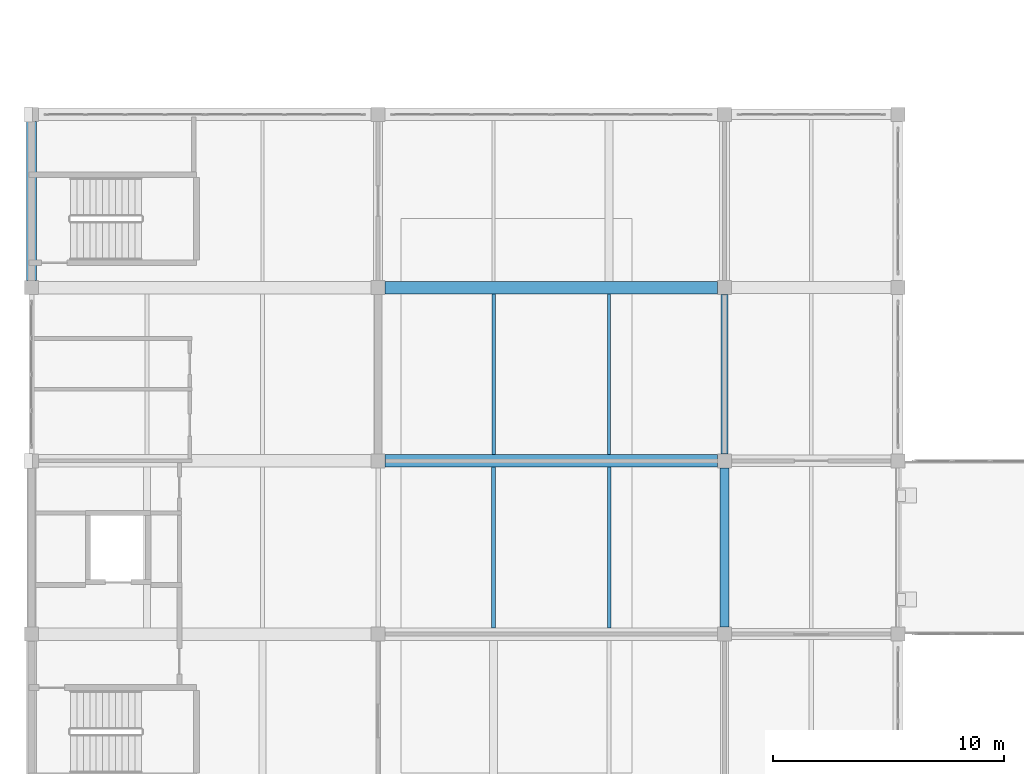
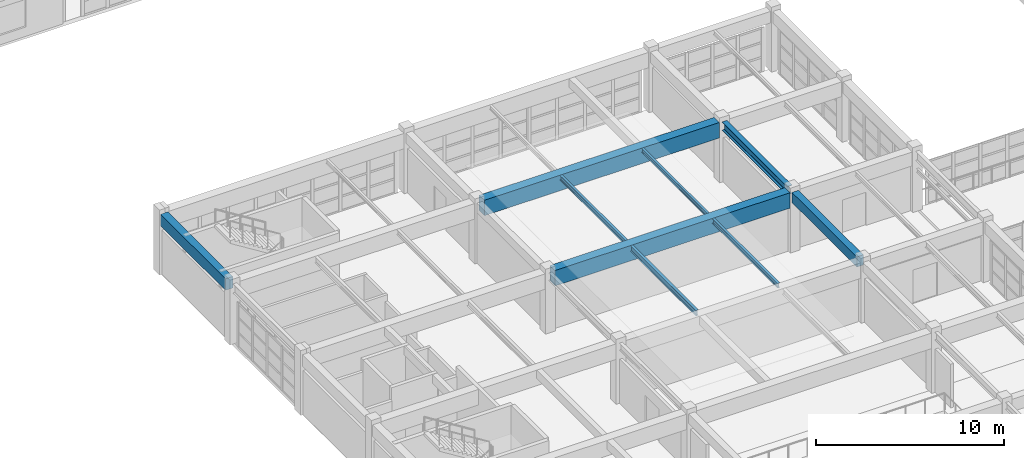
# One storey, part 18 of 124: 9 beams.
"""IFC4 building model written with IfcOpenShell, lengths in metres."""

from ifc_helpers import new_model, si_unit, direction, frame, origin, origin_2d, place, context, subcontext, project, spatial, rectangle, i_section, extrude, material, material_profile, profile_set, type_object, element, save


model = new_model("IFC4")

# Units and contexts
model_context = context("Model", 3, precision=1e-05, world=origin(), true_north=direction((0.0, 1.0)))
body_context = subcontext(model_context, "Body", "Model", "MODEL_VIEW")
ifc_project = project(units=[si_unit("LENGTHUNIT", "METRE"), si_unit("AREAUNIT", "SQUARE_METRE"), si_unit("VOLUMEUNIT", "CUBIC_METRE"), si_unit("PLANEANGLEUNIT", "RADIAN"), si_unit("MASSUNIT", "GRAM", prefix="KILO")], contexts=[model_context])

# Site, building, storey
site_placement = place(None, origin())
site = spatial("IfcSite", under=ifc_project, at=site_placement, CompositionType="ELEMENT")
building_placement = place(site_placement, origin())
building = spatial("IfcBuilding", under=site, at=building_placement, Name="Qasida Concert Hall", CompositionType="ELEMENT")
storey_placement = place(building_placement, frame((0.0, 0.0, 9.0)))
storey = spatial("IfcBuildingStorey", under=building, at=storey_placement, Name="L02", CompositionType="ELEMENT", Elevation=9.0)

# Beams
ifc_material_1 = material(Name="Concrete C40/50", Category="concrete")
ifc_material_profile_1 = material_profile(ifc_material_1, rectangle(XDim=0.39990234375, YDim=0.64990234375, at=origin_2d()), Name="RC 400x650")
ifc_profile_set_1 = profile_set([ifc_material_profile_1], Name="Concrete C40/50")
beam_type_1 = type_object("IfcBeamType", Name="BM-B1", PredefinedType="BEAM", material=ifc_profile_set_1)
beam_1_placement = place(storey_placement, frame((30.0, 30.300048828125, 3.574951171875), z_axis=(0.0, 1.0, 0.0), x_axis=(-1.0, 0.0, 0.0)))
element("IfcBeam", 1, at=beam_1_placement, inside=storey, type_object=beam_type_1, Name="L02 girder 1311", PredefinedType="BEAM", context=body_context, shape_type="SweptSolid", body=[
    extrude(rectangle(XDim=0.39990234375, YDim=0.64990234375, at=origin_2d()), origin(), (0.0, 0.0, 1.0), 6.89990234375),
])
ifc_material_2 = material(Name="Steel S355J2", Category="steel")
ifc_material_profile_2 = material_profile(ifc_material_2, i_section(OverallWidth=0.300048828125, OverallDepth=0.550048828125, WebThickness=0.014892578125, FlangeThickness=0.029052734375, FilletRadius=0.027099609375, at=origin_2d()), Name="HEB 550")
ifc_profile_set_2 = profile_set([ifc_material_profile_2], Name="Steel S355J2")
beam_type_2 = type_object("IfcBeamType", Name="BM-B12", PredefinedType="BEAM", material=ifc_profile_set_2)
beam_2_placement = place(storey_placement, frame((30.0, 37.800048828125, 3.625), z_axis=(0.0, 1.0, 0.0), x_axis=(-1.0, 0.0, 0.0)))
element("IfcBeam", 2, at=beam_2_placement, inside=storey, type_object=beam_type_2, Name="L02 girder 1312", PredefinedType="BEAM", context=body_context, shape_type="SweptSolid", body=[
    extrude(i_section(OverallWidth=0.300048828125, OverallDepth=0.550048828125, WebThickness=0.014892578125, FlangeThickness=0.029052734375, FilletRadius=0.027099609375, at=origin_2d()), origin(), (0.0, 0.0, 1.0), 6.89990234375),
])
ifc_material_profile_3 = material_profile(ifc_material_1, rectangle(XDim=0.550048828125, YDim=1.0, at=origin_2d()), Name="RC 550x1000")
ifc_profile_set_3 = profile_set([ifc_material_profile_3], Name="Concrete C40/50")
beam_type_3 = type_object("IfcBeamType", Name="BM-G3", PredefinedType="USERDEFINED", material=ifc_profile_set_3)
for number, where, z_axis, x_axis, name in (
    (3, (15.300048828125, 37.5, 3.39990234375), (1.0, 0.0, 0.0), (0.0, 1.0, 0.0), "Primary girder 1285"),
    (4, (15.300048828125, 45.0, 3.39990234375), (1.0, 0.0, 0.0), (0.0, 1.0, 0.0), "Primary girder 1288"),
):
    element("IfcBeam", number, at=place(storey_placement, frame(where, z_axis=z_axis, x_axis=x_axis)), inside=storey, type_object=beam_type_3, Name=name, ObjectType="GIRDER", PredefinedType="USERDEFINED", context=body_context, shape_type="SweptSolid", body=[
        extrude(rectangle(XDim=0.550048828125, YDim=1.0, at=origin_2d()), origin(), (0.0, 0.0, 1.0), 14.39990234375),
    ])
ifc_material_profile_4 = material_profile(ifc_material_2, i_section(OverallWidth=0.169921875, OverallDepth=0.360107421875, WebThickness=0.008056640625, FlangeThickness=0.0126953125, FilletRadius=0.01806640625, at=origin_2d()), Name="IPE 360")
ifc_profile_set_4 = profile_set([ifc_material_profile_4], Name="Steel S355J2")
beam_type_4 = type_object("IfcBeamType", Name="BM-J2", PredefinedType="JOIST", material=ifc_profile_set_4)
beam_3_placement = place(storey_placement, frame((20.0, 30.27490234375, 3.719970703125), z_axis=(0.0, 1.0, 0.0), x_axis=(-1.0, 0.0, 0.0)))
element("IfcBeam", 5, at=beam_3_placement, inside=storey, type_object=beam_type_4, Name="L02 secondary joist 1337", PredefinedType="JOIST", context=body_context, shape_type="SweptSolid", body=[
    extrude(i_section(OverallWidth=0.169921875, OverallDepth=0.360107421875, WebThickness=0.008056640625, FlangeThickness=0.0126953125, FilletRadius=0.01806640625, at=origin_2d()), origin(), (0.0, 0.0, 1.0), 6.9501953125),
])
ifc_material_profile_5 = material_profile(ifc_material_2, i_section(OverallWidth=0.14990234375, OverallDepth=0.300048828125, WebThickness=0.007080078125, FlangeThickness=0.0107421875, FilletRadius=0.014892578125, at=origin_2d()), Name="IPE 300")
ifc_profile_set_5 = profile_set([ifc_material_profile_5], Name="Steel S355J2")
beam_type_5 = type_object("IfcBeamType", Name="BM-J4", PredefinedType="JOIST", material=ifc_profile_set_5)
for number, where, z_axis, x_axis, name in (
    (6, (25.0, 30.27490234375, 3.75), (0.0, 1.0, 0.0), (-1.0, 0.0, 0.0), "L02 secondary joist 1338"),
    (7, (20.0, 37.77490234375, 3.75), (0.0, 1.0, 0.0), (-1.0, 0.0, 0.0), "L02 secondary joist 1339"),
):
    element("IfcBeam", number, at=place(storey_placement, frame(where, z_axis=z_axis, x_axis=x_axis)), inside=storey, type_object=beam_type_5, Name=name, PredefinedType="JOIST", context=body_context, shape_type="SweptSolid", body=[
        extrude(i_section(OverallWidth=0.14990234375, OverallDepth=0.300048828125, WebThickness=0.007080078125, FlangeThickness=0.0107421875, FilletRadius=0.014892578125, at=origin_2d()), origin(), (0.0, 0.0, 1.0), 6.9501953125),
    ])
ifc_material_profile_6 = material_profile(ifc_material_2, i_section(OverallWidth=0.135009765625, OverallDepth=0.27001953125, WebThickness=0.006591796875, FlangeThickness=0.01025390625, FilletRadius=0.014892578125, at=origin_2d()), Name="IPE 270")
ifc_profile_set_6 = profile_set([ifc_material_profile_6], Name="Steel S355J2")
beam_type_6 = type_object("IfcBeamType", Name="BM-J6", PredefinedType="JOIST", material=ifc_profile_set_6)
beam_4_placement = place(storey_placement, frame((25.0, 37.77490234375, 3.764892578125), z_axis=(0.0, 1.0, 0.0), x_axis=(-1.0, 0.0, 0.0)))
element("IfcBeam", 8, at=beam_4_placement, inside=storey, type_object=beam_type_6, Name="L02 secondary joist 1340", PredefinedType="JOIST", context=body_context, shape_type="SweptSolid", body=[
    extrude(i_section(OverallWidth=0.135009765625, OverallDepth=0.27001953125, WebThickness=0.006591796875, FlangeThickness=0.01025390625, FilletRadius=0.014892578125, at=origin_2d()), origin(), (0.0, 0.0, 1.0), 6.9501953125),
])
ifc_material_profile_7 = material_profile(ifc_material_1, rectangle(XDim=0.449951171875, YDim=0.75, at=origin_2d()), Name="RC 450x750")
ifc_profile_set_7 = profile_set([ifc_material_profile_7], Name="Concrete C40/50")
beam_type_7 = type_object("IfcBeamType", Name="BM-SP4", PredefinedType="SPANDREL", material=ifc_profile_set_7)
beam_5_placement = place(storey_placement, frame((0.0, 45.300048828125, 3.52490234375), z_axis=(0.0, 1.0, 0.0), x_axis=(-1.0, 0.0, 0.0)))
element("IfcBeam", 9, at=beam_5_placement, inside=storey, type_object=beam_type_7, Name="L02 girder 1299", PredefinedType="SPANDREL", context=body_context, shape_type="SweptSolid", body=[
    extrude(rectangle(XDim=0.449951171875, YDim=0.75, at=origin_2d()), origin(), (0.0, 0.0, 1.0), 6.89990234375),
])

save(model, "model.ifc")
